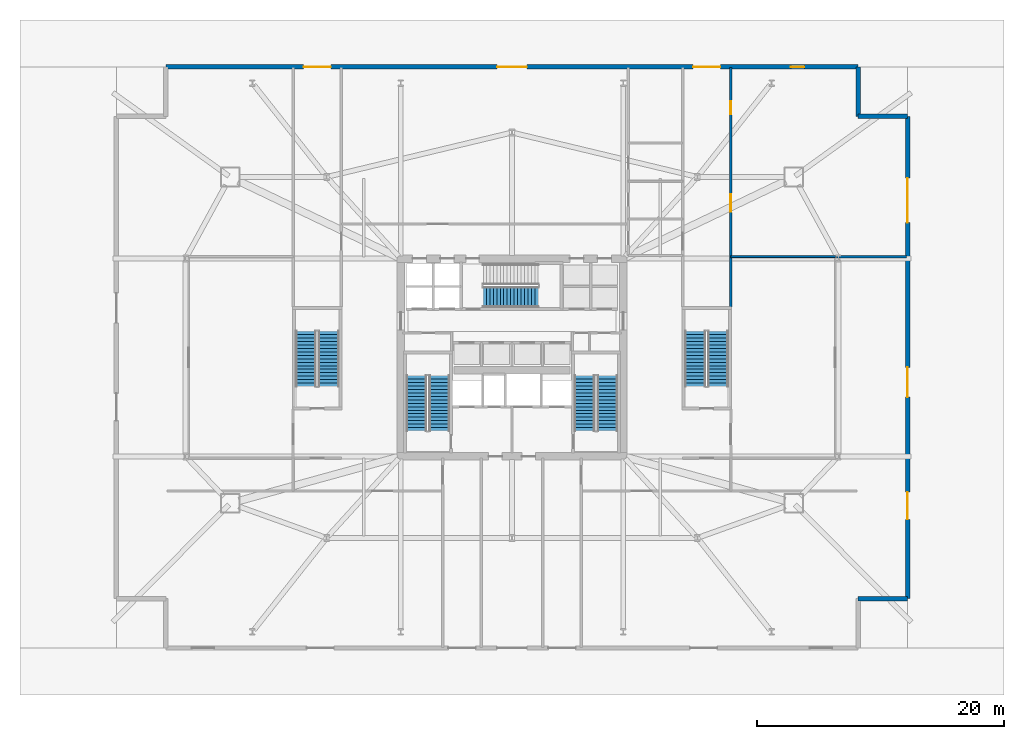
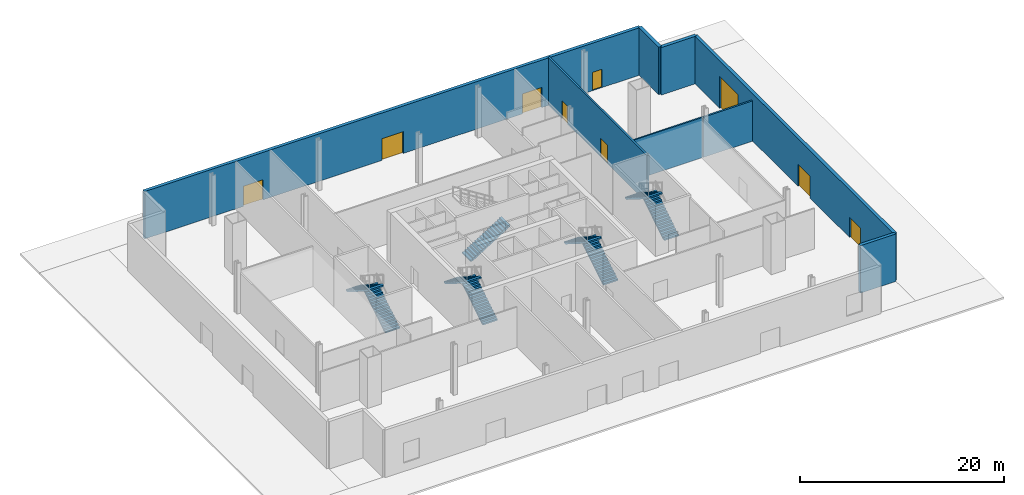
# One storey, part 6 of 10: 9 doors, 9 stair flights, 8 walls, 9 openings, 5 elements without a shape of their own.
"""IFC4 building model written with IfcOpenShell, lengths in metres."""

from ifc_helpers import new_model, si_unit, direction, frame, frame_2d, origin, place, context, subcontext, project, spatial, polyline, rectangle, outline, extrude, material, layer, layer_set, type_object, element, fill, aggregate, save


model = new_model("IFC4")

# Units and contexts
model_context = context("Model", 3, precision=1e-05, world=origin(), true_north=direction((0.0, 1.0)))
body_context = subcontext(model_context, "Body", "Model", "MODEL_VIEW")
ifc_project = project(units=[si_unit("LENGTHUNIT", "METRE"), si_unit("AREAUNIT", "SQUARE_METRE"), si_unit("VOLUMEUNIT", "CUBIC_METRE"), si_unit("PLANEANGLEUNIT", "RADIAN"), si_unit("MASSUNIT", "GRAM", prefix="KILO")], contexts=[model_context])

# Site, building, storey
site_placement = place(None, origin())
site = spatial("IfcSite", under=ifc_project, at=site_placement, CompositionType="ELEMENT")
building_placement = place(site_placement, origin())
building = spatial("IfcBuilding", under=site, at=building_placement, Name="Haldenkirk Collegiate Tower", CompositionType="ELEMENT")
storey_placement = place(building_placement, origin())
storey = spatial("IfcBuildingStorey", under=building, at=storey_placement, Name="L00", CompositionType="ELEMENT", Elevation=0.0)

# Wall
ifc_material_1 = material(Name="Precast concrete f'c 40 MPa", Category="concrete")
ifc_layer_1 = layer(ifc_material_1, 0.360107421875)
ifc_layer_set_1 = layer_set([ifc_layer_1], Name="Precast concrete f'c 40 MPa")
wall_type_1 = type_object("IfcWallType", Name="WL-EXT-POD-360", PredefinedType="STANDARD", material=ifc_layer_set_1)
wall_1_placement = place(storey_placement, frame((68.0, 6.5, 0.0), z_axis=(0.0, 0.0, 1.0), x_axis=(-1.0, 0.0, 0.0)))
element("IfcWall", 1, at=wall_1_placement, inside=storey, type_object=wall_type_1, Name="L00 podium bronze precast wall 03", PredefinedType="STANDARD", context=body_context, shape_type="SweptSolid", body=[
    extrude(rectangle(XDim=4.0, YDim=0.360107421875, at=frame_2d((2.0, 0.0))), origin(), (0.0, 0.0, 1.0), 5.669921875),
])

# Wall, openings, doors
wall_2_placement = place(storey_placement, frame((68.0, 45.5, 0.0), z_axis=(0.0, 0.0, 1.0), x_axis=(0.0, -1.0, 0.0)))
wall_2 = element("IfcWall", 2, at=wall_2_placement, inside=storey, type_object=wall_type_1, Name="L00 podium bronze precast wall 04", PredefinedType="STANDARD", context=body_context, shape_type="SweptSolid", body=[
    extrude(rectangle(XDim=39.0, YDim=0.360107421875, at=frame_2d((19.5, 0.0))), origin(), (0.0, 0.0, 1.0), 5.669921875),
])
opening_1_placement = place(wall_2_placement, frame((30.39990234375, 0.0, 0.0)))
opening_1 = element("IfcOpeningElement", 3, at=opening_1_placement, cuts=wall_2, Name="Opening D-E05", PredefinedType="OPENING", context=body_context, shape_type="SweptSolid", body=[
    extrude(rectangle(XDim=2.199951171875, YDim=2.39990234375, at=frame_2d((1.10009765625, 1.199951171875))), frame((0.0, 0.18994140625, 0.0), z_axis=(0.0, -1.0, 0.0), x_axis=(1.0, 0.0, 0.0)), (0.0, 0.0, 1.0), 0.380126953125),
])
opening_2_placement = place(wall_2_placement, frame((20.300048828125, 0.0, 0.0)))
opening_2 = element("IfcOpeningElement", 4, at=opening_2_placement, cuts=wall_2, Name="Opening D-EN24", PredefinedType="OPENING", context=body_context, shape_type="SweptSolid", body=[
    extrude(rectangle(XDim=2.39990234375, YDim=2.60009765625, at=frame_2d((1.199951171875, 1.300048828125))), frame((0.0, 0.18994140625, 0.0), z_axis=(0.0, -1.0, 0.0), x_axis=(1.0, 0.0, 0.0)), (0.0, 0.0, 1.0), 0.380126953125),
])
opening_3_placement = place(wall_2_placement, frame((5.0, 0.0, 0.0)))
opening_3 = element("IfcOpeningElement", 5, at=opening_3_placement, cuts=wall_2, Name="Opening D-SH1", PredefinedType="OPENING", context=body_context, shape_type="SweptSolid", body=[
    extrude(rectangle(XDim=3.60009765625, YDim=3.800048828125, at=frame_2d((1.800048828125, 1.89990234375))), frame((0.0, 0.18994140625, 0.0), z_axis=(0.0, -1.0, 0.0), x_axis=(1.0, 0.0, 0.0)), (0.0, 0.0, 1.0), 0.380126953125),
])
ifc_material_2 = material(Name="Anodised architectural bronze aluminium", Category="aluminium")
ifc_layer_2 = layer(ifc_material_2, 0.080078125)
ifc_layer_set_2 = layer_set([ifc_layer_2], Name="Anodised architectural bronze aluminium")
door_type_1 = type_object("IfcDoorType", Name="DR-EXT-ENTR-2400", OperationType="NOTDEFINED", PredefinedType="DOOR", material=ifc_layer_set_2)
door_1_placement = place(opening_2_placement, origin())
door_1 = element("IfcDoor", 6, at=door_1_placement, inside=storey, type_object=door_type_1, Name="Ground east campus promenade entrance door", OperationType="DOUBLE_DOOR_SINGLE_SWING", OverallHeight=2.60009765625, OverallWidth=2.39990234375, PredefinedType="DOOR", context=body_context, shape_type="SweptSolid", body=[
    extrude(rectangle(XDim=2.39990234375, YDim=2.60009765625, at=frame_2d((1.199951171875, 1.300048828125))), frame((0.0, 0.02490234375, 0.0), z_axis=(0.0, -1.0, 0.0), x_axis=(1.0, 0.0, 0.0)), (0.0, 0.0, 1.0), 0.050048828125),
])
fill(opening_2, door_1)
ifc_layer_3 = layer(ifc_material_2, 0.080078125)
ifc_layer_set_3 = layer_set([ifc_layer_3], Name="Anodised architectural bronze aluminium")
door_type_2 = type_object("IfcDoorType", Name="DR-EXT-EXIT-2200", OperationType="NOTDEFINED", PredefinedType="DOOR", material=ifc_layer_set_3)
door_2_placement = place(opening_1_placement, origin())
door_2 = element("IfcDoor", 7, at=door_2_placement, inside=storey, type_object=door_type_2, Name="Ground final exit discharge door D-E05", OperationType="DOUBLE_DOOR_SINGLE_SWING", OverallHeight=2.39990234375, OverallWidth=2.199951171875, PredefinedType="DOOR", context=body_context, shape_type="SweptSolid", body=[
    extrude(rectangle(XDim=2.199951171875, YDim=2.39990234375, at=frame_2d((1.10009765625, 1.199951171875))), frame((0.0, 0.02490234375, 0.0), z_axis=(0.0, -1.0, 0.0), x_axis=(1.0, 0.0, 0.0)), (0.0, 0.0, 1.0), 0.050048828125),
])
fill(opening_1, door_2)
ifc_material_3 = material(Name="Galvanized painted hollow steel", Category="steel")
ifc_layer_4 = layer(ifc_material_3, 0.080078125)
ifc_layer_set_4 = layer_set([ifc_layer_4], Name="Galvanized painted hollow steel")
door_type_3 = type_object("IfcDoorType", Name="DR-EXT-SHUT-3600", OperationType="NOTDEFINED", PredefinedType="GATE", material=ifc_layer_set_4)
door_3_placement = place(opening_3_placement, origin())
door_3 = element("IfcDoor", 8, at=door_3_placement, inside=storey, type_object=door_type_3, Name="Loading bay motorized rolling shutter D-SH1", OperationType="ROLLINGUP", OverallHeight=3.800048828125, OverallWidth=3.60009765625, PredefinedType="GATE", context=body_context, shape_type="SweptSolid", body=[
    extrude(rectangle(XDim=3.60009765625, YDim=3.800048828125, at=frame_2d((1.800048828125, 1.89990234375))), frame((0.0, 0.02490234375, 0.0), z_axis=(0.0, -1.0, 0.0), x_axis=(1.0, 0.0, 0.0)), (0.0, 0.0, 1.0), 0.050048828125),
])
fill(opening_3, door_3)

# Walls
for number, where, z_axis, x_axis, name in (
    (9, (64.0, 45.5, 0.0), (0.0, 0.0, 1.0), (1.0, 0.0, 0.0), "L00 podium bronze precast wall 05"),
    (10, (64.0, 49.5, 0.0), (0.0, 0.0, 1.0), (0.0, -1.0, 0.0), "L00 podium bronze precast wall 06"),
):
    element("IfcWall", number, at=place(storey_placement, frame(where, z_axis=z_axis, x_axis=x_axis)), inside=storey, type_object=wall_type_1, Name=name, PredefinedType="STANDARD", context=body_context, shape_type="SweptSolid", body=[
        extrude(rectangle(XDim=4.0, YDim=0.360107421875, at=frame_2d((2.0, 0.0))), origin(), (0.0, 0.0, 1.0), 5.669921875),
    ])

# Wall, openings, doors
wall_3_placement = place(storey_placement, frame((8.0, 49.5, 0.0), z_axis=(0.0, 0.0, 1.0), x_axis=(1.0, 0.0, 0.0)))
wall_3 = element("IfcWall", 11, at=wall_3_placement, inside=storey, type_object=wall_type_1, Name="L00 podium bronze precast wall 07", PredefinedType="STANDARD", context=body_context, shape_type="SweptSolid", body=[
    extrude(rectangle(XDim=56.0, YDim=0.360107421875, at=frame_2d((28.0, 0.0))), origin(), (0.0, 0.0, 1.0), 5.669921875),
])
opening_4_placement = place(wall_3_placement, frame((11.14990234375, 0.0, 0.0)))
opening_4 = element("IfcOpeningElement", 12, at=opening_4_placement, cuts=wall_3, Name="Opening D-E03", PredefinedType="OPENING", context=body_context, shape_type="SweptSolid", body=[
    extrude(rectangle(XDim=2.199951171875, YDim=2.39990234375, at=frame_2d((1.10009765625, 1.199951171875))), frame((0.0, 0.18994140625, 0.0), z_axis=(0.0, -1.0, 0.0), x_axis=(1.0, 0.0, 0.0)), (0.0, 0.0, 1.0), 0.380126953125),
])
opening_5_placement = place(wall_3_placement, frame((42.64990234375, 0.0, 0.0)))
opening_5 = element("IfcOpeningElement", 13, at=opening_5_placement, cuts=wall_3, Name="Opening D-E08", PredefinedType="OPENING", context=body_context, shape_type="SweptSolid", body=[
    extrude(rectangle(XDim=2.199951171875, YDim=2.39990234375, at=frame_2d((1.10009765625, 1.199951171875))), frame((0.0, 0.18994140625, 0.0), z_axis=(0.0, -1.0, 0.0), x_axis=(1.0, 0.0, 0.0)), (0.0, 0.0, 1.0), 0.380126953125),
])
opening_6_placement = place(wall_3_placement, frame((26.800048828125, 0.0, 0.0)))
opening_6 = element("IfcOpeningElement", 14, at=opening_6_placement, cuts=wall_3, Name="Opening D-EN24", PredefinedType="OPENING", context=body_context, shape_type="SweptSolid", body=[
    extrude(rectangle(XDim=2.39990234375, YDim=2.60009765625, at=frame_2d((1.199951171875, 1.300048828125))), frame((0.0, 0.18994140625, 0.0), z_axis=(0.0, -1.0, 0.0), x_axis=(1.0, 0.0, 0.0)), (0.0, 0.0, 1.0), 0.380126953125),
])
opening_7_placement = place(wall_3_placement, frame((50.550048828125, 0.0, 0.0)))
opening_7 = element("IfcOpeningElement", 15, at=opening_7_placement, cuts=wall_3, Name="Opening D-FC11", PredefinedType="OPENING", context=body_context, shape_type="SweptSolid", body=[
    extrude(rectangle(XDim=1.10009765625, YDim=2.199951171875, at=frame_2d((0.550048828125, 1.10009765625))), frame((0.0, 0.18994140625, 0.0), z_axis=(0.0, -1.0, 0.0), x_axis=(1.0, 0.0, 0.0)), (0.0, 0.0, 1.0), 0.380126953125),
])
door_4_placement = place(opening_6_placement, origin())
door_4 = element("IfcDoor", 16, at=door_4_placement, inside=storey, type_object=door_type_1, Name="Ground north study commons entrance door", OperationType="DOUBLE_DOOR_SINGLE_SWING", OverallHeight=2.60009765625, OverallWidth=2.39990234375, PredefinedType="DOOR", context=body_context, shape_type="SweptSolid", body=[
    extrude(rectangle(XDim=2.39990234375, YDim=2.60009765625, at=frame_2d((1.199951171875, 1.300048828125))), frame((0.0, 0.02490234375, 0.0), z_axis=(0.0, -1.0, 0.0), x_axis=(1.0, 0.0, 0.0)), (0.0, 0.0, 1.0), 0.050048828125),
])
fill(opening_6, door_4)
door_5_placement = place(opening_4_placement, origin())
door_5 = element("IfcDoor", 17, at=door_5_placement, inside=storey, type_object=door_type_2, Name="Ground final exit discharge door D-E03", OperationType="DOUBLE_DOOR_SINGLE_SWING", OverallHeight=2.39990234375, OverallWidth=2.199951171875, PredefinedType="DOOR", context=body_context, shape_type="SweptSolid", body=[
    extrude(rectangle(XDim=2.199951171875, YDim=2.39990234375, at=frame_2d((1.10009765625, 1.199951171875))), frame((0.0, 0.02490234375, 0.0), z_axis=(0.0, -1.0, 0.0), x_axis=(1.0, 0.0, 0.0)), (0.0, 0.0, 1.0), 0.050048828125),
])
fill(opening_4, door_5)
door_6_placement = place(opening_5_placement, origin())
door_6 = element("IfcDoor", 18, at=door_6_placement, inside=storey, type_object=door_type_2, Name="Ground final exit discharge door D-E08", OperationType="DOUBLE_DOOR_SINGLE_SWING", OverallHeight=2.39990234375, OverallWidth=2.199951171875, PredefinedType="DOOR", context=body_context, shape_type="SweptSolid", body=[
    extrude(rectangle(XDim=2.199951171875, YDim=2.39990234375, at=frame_2d((1.10009765625, 1.199951171875))), frame((0.0, 0.02490234375, 0.0), z_axis=(0.0, -1.0, 0.0), x_axis=(1.0, 0.0, 0.0)), (0.0, 0.0, 1.0), 0.050048828125),
])
fill(opening_5, door_6)
ifc_layer_5 = layer(ifc_material_2, 0.080078125)
ifc_layer_set_5 = layer_set([ifc_layer_5], Name="Anodised architectural bronze aluminium")
door_type_4 = type_object("IfcDoorType", Name="DR-EXT-FCC-1100", OperationType="NOTDEFINED", PredefinedType="DOOR", material=ifc_layer_set_5)
door_7_placement = place(opening_7_placement, origin())
door_7 = element("IfcDoor", 19, at=door_7_placement, inside=storey, type_object=door_type_4, Name="Fire Command Center direct exterior door", OperationType="SINGLE_SWING_RIGHT", OverallHeight=2.199951171875, OverallWidth=1.10009765625, PredefinedType="DOOR", context=body_context, shape_type="SweptSolid", body=[
    extrude(rectangle(XDim=1.10009765625, YDim=2.199951171875, at=frame_2d((0.550048828125, 1.10009765625))), frame((0.0, 0.02490234375, 0.0), z_axis=(0.0, -1.0, 0.0), x_axis=(1.0, 0.0, 0.0)), (0.0, 0.0, 1.0), 0.050048828125),
])
fill(opening_7, door_7)

# Wall
ifc_material_4 = material(Name="Acoustic fire-rated gypsum partition", Category="concrete")
ifc_layer_6 = layer(ifc_material_4, 0.159912109375)
ifc_layer_set_6 = layer_set([ifc_layer_6], Name="Acoustic fire-rated gypsum partition")
wall_type_2 = type_object("IfcWallType", Name="WL-INT-CORR-160", PredefinedType="PARTITIONING", material=ifc_layer_set_6)
wall_4_placement = place(storey_placement, frame((53.699951171875, 34.14990234375, 0.0), z_axis=(0.0, 0.0, 1.0), x_axis=(1.0, 0.0, 0.0)))
element("IfcWall", 20, at=wall_4_placement, inside=storey, type_object=wall_type_2, Name="L00 interior partition IW-L00-LT2N", PredefinedType="PARTITIONING", context=body_context, shape_type="SweptSolid", body=[
    extrude(rectangle(XDim=8.449951171875, YDim=0.159912109375, at=frame_2d((4.22509765625, 0.0))), origin(), (0.0, 0.0, 1.0), 4.802978515625),
])

# Wall, openings, doors
ifc_material_5 = material(Name="Fire-rated gypsum shaftboard assembly", Category="concrete")
ifc_layer_7 = layer(ifc_material_5, 0.199951171875)
ifc_layer_set_7 = layer_set([ifc_layer_7], Name="Fire-rated gypsum shaftboard assembly")
wall_type_3 = type_object("IfcWallType", Name="WL-INT-SHAFT-200", PredefinedType="PARTITIONING", material=ifc_layer_set_7)
wall_5_placement = place(storey_placement, frame((53.699951171875, 30.080078125, 0.0), z_axis=(0.0, 0.0, 1.0), x_axis=(0.0, 1.0, 0.0)))
wall_5 = element("IfcWall", 21, at=wall_5_placement, inside=storey, type_object=wall_type_3, Name="L00 interior partition IW-L00-EP4E", PredefinedType="PARTITIONING", context=body_context, shape_type="SweptSolid", body=[
    extrude(rectangle(XDim=19.369873046875, YDim=0.199951171875, at=frame_2d((9.68505859375, 0.0))), origin(), (0.0, 0.0, 1.0), 5.669921875),
])
opening_8_placement = place(wall_5_placement, frame((15.594970703125, 0.0, 0.0)))
opening_8 = element("IfcOpeningElement", 22, at=opening_8_placement, cuts=wall_5, Name="Opening D-01", PredefinedType="OPENING", context=body_context, shape_type="SweptSolid", body=[
    extrude(rectangle(XDim=1.050048828125, YDim=2.14990234375, at=frame_2d((0.52490234375, 1.074951171875))), frame((0.0, 0.10986328125, 0.0), z_axis=(0.0, -1.0, 0.0), x_axis=(1.0, 0.0, 0.0)), (0.0, 0.0, 1.0), 0.219970703125),
])
opening_9_placement = place(wall_5_placement, frame((7.719970703125, 0.0, 0.0)))
opening_9 = element("IfcOpeningElement", 23, at=opening_9_placement, cuts=wall_5, Name="Opening D-03", PredefinedType="OPENING", context=body_context, shape_type="SweptSolid", body=[
    extrude(rectangle(XDim=1.39990234375, YDim=2.199951171875, at=frame_2d((0.699951171875, 1.10009765625))), frame((0.0, 0.10986328125, 0.0), z_axis=(0.0, -1.0, 0.0), x_axis=(1.0, 0.0, 0.0)), (0.0, 0.0, 1.0), 0.219970703125),
])
ifc_material_6 = material(Name="Galvanized fire-rated hollow steel door", Category="steel")
ifc_layer_8 = layer(ifc_material_6, 0.06005859375)
ifc_layer_set_8 = layer_set([ifc_layer_8], Name="Galvanized fire-rated hollow steel door")
door_type_5 = type_object("IfcDoorType", Name="DR-LOBBY-FD90-1400", OperationType="NOTDEFINED", PredefinedType="DOOR", material=ifc_layer_set_8)
door_8_placement = place(opening_9_placement, origin())
door_8 = element("IfcDoor", 24, at=door_8_placement, inside=storey, type_object=door_type_5, Name="Loading bay service door", OperationType="DOUBLE_DOOR_SINGLE_SWING", OverallHeight=2.199951171875, OverallWidth=1.39990234375, PredefinedType="DOOR", context=body_context, shape_type="SweptSolid", body=[
    extrude(rectangle(XDim=1.39990234375, YDim=2.199951171875, at=frame_2d((0.699951171875, 1.10009765625))), frame((0.0, 0.02490234375, 0.0), z_axis=(0.0, -1.0, 0.0), x_axis=(1.0, 0.0, 0.0)), (0.0, 0.0, 1.0), 0.050048828125),
])
fill(opening_9, door_8)
ifc_layer_9 = layer(ifc_material_6, 0.06005859375)
ifc_layer_set_9 = layer_set([ifc_layer_9], Name="Galvanized fire-rated hollow steel door")
door_type_6 = type_object("IfcDoorType", Name="DR-STAIR-FD90-1050", OperationType="NOTDEFINED", PredefinedType="DOOR", material=ifc_layer_set_9)
door_9_placement = place(opening_8_placement, origin())
door_9 = element("IfcDoor", 25, at=door_9_placement, inside=storey, type_object=door_type_6, Name="Fire Command Center interior door", OperationType="SINGLE_SWING_LEFT", OverallHeight=2.14990234375, OverallWidth=1.050048828125, PredefinedType="DOOR", context=body_context, shape_type="SweptSolid", body=[
    extrude(rectangle(XDim=1.050048828125, YDim=2.14990234375, at=frame_2d((0.52490234375, 1.074951171875))), frame((0.0, 0.02490234375, 0.0), z_axis=(0.0, -1.0, 0.0), x_axis=(1.0, 0.0, 0.0)), (0.0, 0.0, 1.0), 0.050048828125),
])
fill(opening_8, door_9)

# Wall
wall_6_placement = place(storey_placement, frame((62.25, 34.14990234375, 0.0), z_axis=(0.0, 0.0, 1.0), x_axis=(1.0, 0.0, 0.0)))
element("IfcWall", 26, at=wall_6_placement, inside=storey, type_object=wall_type_3, Name="L00 interior partition IW-L00-LDS", PredefinedType="PARTITIONING", context=body_context, shape_type="SweptSolid", body=[
    extrude(rectangle(XDim=5.64990234375, YDim=0.199951171875, at=frame_2d((2.824951171875, 0.0))), origin(), (0.0, 0.0, 1.0), 4.802978515625),
])

# Stair, stair flights
ifc_material_7 = material(Name="Concrete f'c 40 MPa", Category="concrete")
stair_type = type_object("IfcStairType", Name="STR-DOGLEG-1650", PredefinedType="HALF_TURN_STAIR", material=ifc_material_7)
stair_1_placement = place(storey_placement, origin())
stair_1 = element("IfcStair", 27, at=stair_1_placement, inside=storey, type_object=stair_type, Name="L00 Core Exit Stair ST-1", PredefinedType="HALF_TURN_STAIR")
stair_flight_type = type_object("IfcStairFlightType", Name="STF-FLIGHT-1650", PredefinedType="STRAIGHT", material=ifc_material_7)
stair_flight_1_placement = place(storey_placement, frame((30.125, 20.050048828125, 0.0), z_axis=(0.0, 0.0, 1.0), x_axis=(0.0, 1.0, 0.0)))
stair_flight_1 = element("IfcStairFlight", 28, at=stair_flight_1_placement, type_object=stair_flight_type, Name="ST-1 flight 1", NumberOfRisers=17, NumberOfTreads=16, PredefinedType="STRAIGHT", RiserHeight=0.176470588, TreadLength=0.28, context=body_context, shape_type="SweptSolid", body=[
    extrude(outline(polyline([(0.0, 0.0), (0.0, 0.176513671875), (0.280029296875, 0.176513671875), (0.280029296875, 0.35302734375), (0.56005859375, 0.35302734375), (0.56005859375, 0.529296875), (0.840087890625, 0.529296875), (0.840087890625, 0.705810546875), (1.1201171875, 0.705810546875), (1.1201171875, 0.88232421875), (1.39990234375, 0.88232421875), (1.39990234375, 1.058837890625), (1.679931640625, 1.058837890625), (1.679931640625, 1.2353515625), (1.9599609375, 1.2353515625), (1.9599609375, 1.411865234375), (2.239990234375, 1.411865234375), (2.239990234375, 1.588134765625), (2.52001953125, 1.588134765625), (2.52001953125, 1.7646484375), (2.800048828125, 1.7646484375), (2.800048828125, 1.941162109375), (3.080078125, 1.941162109375), (3.080078125, 2.11767578125), (3.360107421875, 2.11767578125), (3.360107421875, 2.294189453125), (3.639892578125, 2.294189453125), (3.639892578125, 2.470703125), (3.919921875, 2.470703125), (3.919921875, 2.64697265625), (4.199951171875, 2.64697265625), (4.199951171875, 2.823486328125), (4.47998046875, 2.823486328125), (4.47998046875, 3.0), (4.47998046875, 2.646240234375), (0.28125, 0.0), (0.0, 0.0)])), frame((0.0, 0.824951171875, 0.0), z_axis=(0.0, -1.0, 0.0), x_axis=(1.0, 0.0, 0.0)), (0.0, 0.0, 1.0), 1.64990234375),
])
stair_flight_2_placement = place(storey_placement, frame((28.27490234375, 24.530029296875, 3.0), z_axis=(0.0, 0.0, 1.0), x_axis=(0.0, -1.0, 0.0)))
stair_flight_2 = element("IfcStairFlight", 29, at=stair_flight_2_placement, type_object=stair_flight_type, Name="ST-1 flight 2", NumberOfRisers=17, NumberOfTreads=16, PredefinedType="STRAIGHT", RiserHeight=0.176470588, TreadLength=0.28, context=body_context, shape_type="SweptSolid", body=[
    extrude(outline(polyline([(0.0, 0.0), (0.0, 0.176513671875), (0.280029296875, 0.176513671875), (0.280029296875, 0.35302734375), (0.56005859375, 0.35302734375), (0.56005859375, 0.529296875), (0.840087890625, 0.529296875), (0.840087890625, 0.705810546875), (1.1201171875, 0.705810546875), (1.1201171875, 0.88232421875), (1.39990234375, 0.88232421875), (1.39990234375, 1.058837890625), (1.679931640625, 1.058837890625), (1.679931640625, 1.2353515625), (1.9599609375, 1.2353515625), (1.9599609375, 1.411865234375), (2.239990234375, 1.411865234375), (2.239990234375, 1.588134765625), (2.52001953125, 1.588134765625), (2.52001953125, 1.7646484375), (2.800048828125, 1.7646484375), (2.800048828125, 1.941162109375), (3.080078125, 1.941162109375), (3.080078125, 2.11767578125), (3.360107421875, 2.11767578125), (3.360107421875, 2.294189453125), (3.639892578125, 2.294189453125), (3.639892578125, 2.470703125), (3.919921875, 2.470703125), (3.919921875, 2.64697265625), (4.199951171875, 2.64697265625), (4.199951171875, 2.823486328125), (4.47998046875, 2.823486328125), (4.47998046875, 3.0), (4.47998046875, 2.646240234375), (0.28125, 0.0), (0.0, 0.0)])), frame((0.0, 0.824951171875, 0.0), z_axis=(0.0, -1.0, 0.0), x_axis=(1.0, 0.0, 0.0)), (0.0, 0.0, 1.0), 1.64990234375),
])
aggregate(stair_1, [stair_flight_1, stair_flight_2])

stair_2_placement = place(storey_placement, origin())
stair_2 = element("IfcStair", 30, at=stair_2_placement, inside=storey, type_object=stair_type, Name="L00 Core Exit Stair ST-2", PredefinedType="HALF_TURN_STAIR")
stair_flight_3_placement = place(storey_placement, frame((43.72509765625, 20.050048828125, 0.0), z_axis=(0.0, 0.0, 1.0), x_axis=(0.0, 1.0, 0.0)))
stair_flight_3 = element("IfcStairFlight", 31, at=stair_flight_3_placement, type_object=stair_flight_type, Name="ST-2 flight 1", NumberOfRisers=17, NumberOfTreads=16, PredefinedType="STRAIGHT", RiserHeight=0.176470588, TreadLength=0.28, context=body_context, shape_type="SweptSolid", body=[
    extrude(outline(polyline([(0.0, 0.0), (0.0, 0.176513671875), (0.280029296875, 0.176513671875), (0.280029296875, 0.35302734375), (0.56005859375, 0.35302734375), (0.56005859375, 0.529296875), (0.840087890625, 0.529296875), (0.840087890625, 0.705810546875), (1.1201171875, 0.705810546875), (1.1201171875, 0.88232421875), (1.39990234375, 0.88232421875), (1.39990234375, 1.058837890625), (1.679931640625, 1.058837890625), (1.679931640625, 1.2353515625), (1.9599609375, 1.2353515625), (1.9599609375, 1.411865234375), (2.239990234375, 1.411865234375), (2.239990234375, 1.588134765625), (2.52001953125, 1.588134765625), (2.52001953125, 1.7646484375), (2.800048828125, 1.7646484375), (2.800048828125, 1.941162109375), (3.080078125, 1.941162109375), (3.080078125, 2.11767578125), (3.360107421875, 2.11767578125), (3.360107421875, 2.294189453125), (3.639892578125, 2.294189453125), (3.639892578125, 2.470703125), (3.919921875, 2.470703125), (3.919921875, 2.64697265625), (4.199951171875, 2.64697265625), (4.199951171875, 2.823486328125), (4.47998046875, 2.823486328125), (4.47998046875, 3.0), (4.47998046875, 2.646240234375), (0.28125, 0.0), (0.0, 0.0)])), frame((0.0, 0.824951171875, 0.0), z_axis=(0.0, -1.0, 0.0), x_axis=(1.0, 0.0, 0.0)), (0.0, 0.0, 1.0), 1.64990234375),
])
stair_flight_4_placement = place(storey_placement, frame((41.875, 24.530029296875, 3.0), z_axis=(0.0, 0.0, 1.0), x_axis=(0.0, -1.0, 0.0)))
stair_flight_4 = element("IfcStairFlight", 32, at=stair_flight_4_placement, type_object=stair_flight_type, Name="ST-2 flight 2", NumberOfRisers=17, NumberOfTreads=16, PredefinedType="STRAIGHT", RiserHeight=0.176470588, TreadLength=0.28, context=body_context, shape_type="SweptSolid", body=[
    extrude(outline(polyline([(0.0, 0.0), (0.0, 0.176513671875), (0.280029296875, 0.176513671875), (0.280029296875, 0.35302734375), (0.56005859375, 0.35302734375), (0.56005859375, 0.529296875), (0.840087890625, 0.529296875), (0.840087890625, 0.705810546875), (1.1201171875, 0.705810546875), (1.1201171875, 0.88232421875), (1.39990234375, 0.88232421875), (1.39990234375, 1.058837890625), (1.679931640625, 1.058837890625), (1.679931640625, 1.2353515625), (1.9599609375, 1.2353515625), (1.9599609375, 1.411865234375), (2.239990234375, 1.411865234375), (2.239990234375, 1.588134765625), (2.52001953125, 1.588134765625), (2.52001953125, 1.7646484375), (2.800048828125, 1.7646484375), (2.800048828125, 1.941162109375), (3.080078125, 1.941162109375), (3.080078125, 2.11767578125), (3.360107421875, 2.11767578125), (3.360107421875, 2.294189453125), (3.639892578125, 2.294189453125), (3.639892578125, 2.470703125), (3.919921875, 2.470703125), (3.919921875, 2.64697265625), (4.199951171875, 2.64697265625), (4.199951171875, 2.823486328125), (4.47998046875, 2.823486328125), (4.47998046875, 3.0), (4.47998046875, 2.646240234375), (0.28125, 0.0), (0.0, 0.0)])), frame((0.0, 0.824951171875, 0.0), z_axis=(0.0, -1.0, 0.0), x_axis=(1.0, 0.0, 0.0)), (0.0, 0.0, 1.0), 1.64990234375),
])
aggregate(stair_2, [stair_flight_3, stair_flight_4])

# Stair, stair flight
stair_3_placement = place(storey_placement, origin())
stair_3 = element("IfcStair", 33, at=stair_3_placement, inside=storey, type_object=stair_type, Name="L00 Core Exit Stair ST-3", PredefinedType="HALF_TURN_STAIR")
stair_flight_5_placement = place(storey_placement, frame((33.64990234375, 30.875, 0.0), z_axis=(0.0, 0.0, 1.0), x_axis=(1.0, 0.0, 0.0)))
stair_flight_5 = element("IfcStairFlight", 34, at=stair_flight_5_placement, type_object=stair_flight_type, Name="ST-3 flight 1", NumberOfRisers=17, NumberOfTreads=16, PredefinedType="STRAIGHT", RiserHeight=0.176470588, TreadLength=0.28, context=body_context, shape_type="SweptSolid", body=[
    extrude(outline(polyline([(0.0, 0.0), (0.0, 0.176513671875), (0.280029296875, 0.176513671875), (0.280029296875, 0.35302734375), (0.56005859375, 0.35302734375), (0.56005859375, 0.529296875), (0.840087890625, 0.529296875), (0.840087890625, 0.705810546875), (1.1201171875, 0.705810546875), (1.1201171875, 0.88232421875), (1.39990234375, 0.88232421875), (1.39990234375, 1.058837890625), (1.679931640625, 1.058837890625), (1.679931640625, 1.2353515625), (1.9599609375, 1.2353515625), (1.9599609375, 1.411865234375), (2.239990234375, 1.411865234375), (2.239990234375, 1.588134765625), (2.52001953125, 1.588134765625), (2.52001953125, 1.7646484375), (2.800048828125, 1.7646484375), (2.800048828125, 1.941162109375), (3.080078125, 1.941162109375), (3.080078125, 2.11767578125), (3.360107421875, 2.11767578125), (3.360107421875, 2.294189453125), (3.639892578125, 2.294189453125), (3.639892578125, 2.470703125), (3.919921875, 2.470703125), (3.919921875, 2.64697265625), (4.199951171875, 2.64697265625), (4.199951171875, 2.823486328125), (4.47998046875, 2.823486328125), (4.47998046875, 3.0), (4.47998046875, 2.646240234375), (0.28125, 0.0), (0.0, 0.0)])), frame((0.0, 0.824951171875, 0.0), z_axis=(0.0, -1.0, 0.0), x_axis=(1.0, 0.0, 0.0)), (0.0, 0.0, 1.0), 1.64990234375),
])
aggregate(stair_3, [stair_flight_5])

# Stair, stair flights
stair_4_placement = place(storey_placement, origin())
stair_4 = element("IfcStair", 35, at=stair_4_placement, inside=storey, type_object=stair_type, Name="L00 Podium Exit Stair ST-4", PredefinedType="HALF_TURN_STAIR")
stair_flight_6_placement = place(storey_placement, frame((21.175048828125, 23.64990234375, 0.0), z_axis=(0.0, 0.0, 1.0), x_axis=(0.0, 1.0, 0.0)))
stair_flight_6 = element("IfcStairFlight", 36, at=stair_flight_6_placement, type_object=stair_flight_type, Name="ST-4 flight 1", NumberOfRisers=17, NumberOfTreads=16, PredefinedType="STRAIGHT", RiserHeight=0.176470588, TreadLength=0.28, context=body_context, shape_type="SweptSolid", body=[
    extrude(outline(polyline([(0.0, 0.0), (0.0, 0.176513671875), (0.280029296875, 0.176513671875), (0.280029296875, 0.35302734375), (0.56005859375, 0.35302734375), (0.56005859375, 0.529296875), (0.840087890625, 0.529296875), (0.840087890625, 0.705810546875), (1.1201171875, 0.705810546875), (1.1201171875, 0.88232421875), (1.39990234375, 0.88232421875), (1.39990234375, 1.058837890625), (1.679931640625, 1.058837890625), (1.679931640625, 1.2353515625), (1.9599609375, 1.2353515625), (1.9599609375, 1.411865234375), (2.239990234375, 1.411865234375), (2.239990234375, 1.588134765625), (2.52001953125, 1.588134765625), (2.52001953125, 1.7646484375), (2.800048828125, 1.7646484375), (2.800048828125, 1.941162109375), (3.080078125, 1.941162109375), (3.080078125, 2.11767578125), (3.360107421875, 2.11767578125), (3.360107421875, 2.294189453125), (3.639892578125, 2.294189453125), (3.639892578125, 2.470703125), (3.919921875, 2.470703125), (3.919921875, 2.64697265625), (4.199951171875, 2.64697265625), (4.199951171875, 2.823486328125), (4.47998046875, 2.823486328125), (4.47998046875, 3.0), (4.47998046875, 2.646240234375), (0.28125, 0.0), (0.0, 0.0)])), frame((0.0, 0.824951171875, 0.0), z_axis=(0.0, -1.0, 0.0), x_axis=(1.0, 0.0, 0.0)), (0.0, 0.0, 1.0), 1.64990234375),
])
stair_flight_7_placement = place(storey_placement, frame((19.324951171875, 28.1298828125, 3.0), z_axis=(0.0, 0.0, 1.0), x_axis=(0.0, -1.0, 0.0)))
stair_flight_7 = element("IfcStairFlight", 37, at=stair_flight_7_placement, type_object=stair_flight_type, Name="ST-4 flight 2", NumberOfRisers=17, NumberOfTreads=16, PredefinedType="STRAIGHT", RiserHeight=0.176470588, TreadLength=0.28, context=body_context, shape_type="SweptSolid", body=[
    extrude(outline(polyline([(0.0, 0.0), (0.0, 0.176513671875), (0.280029296875, 0.176513671875), (0.280029296875, 0.35302734375), (0.56005859375, 0.35302734375), (0.56005859375, 0.529296875), (0.840087890625, 0.529296875), (0.840087890625, 0.705810546875), (1.1201171875, 0.705810546875), (1.1201171875, 0.88232421875), (1.39990234375, 0.88232421875), (1.39990234375, 1.058837890625), (1.679931640625, 1.058837890625), (1.679931640625, 1.2353515625), (1.9599609375, 1.2353515625), (1.9599609375, 1.411865234375), (2.239990234375, 1.411865234375), (2.239990234375, 1.588134765625), (2.52001953125, 1.588134765625), (2.52001953125, 1.7646484375), (2.800048828125, 1.7646484375), (2.800048828125, 1.941162109375), (3.080078125, 1.941162109375), (3.080078125, 2.11767578125), (3.360107421875, 2.11767578125), (3.360107421875, 2.294189453125), (3.639892578125, 2.294189453125), (3.639892578125, 2.470703125), (3.919921875, 2.470703125), (3.919921875, 2.64697265625), (4.199951171875, 2.64697265625), (4.199951171875, 2.823486328125), (4.47998046875, 2.823486328125), (4.47998046875, 3.0), (4.47998046875, 2.646240234375), (0.28125, 0.0), (0.0, 0.0)])), frame((0.0, 0.824951171875, 0.0), z_axis=(0.0, -1.0, 0.0), x_axis=(1.0, 0.0, 0.0)), (0.0, 0.0, 1.0), 1.64990234375),
])
aggregate(stair_4, [stair_flight_6, stair_flight_7])

stair_5_placement = place(storey_placement, origin())
stair_5 = element("IfcStair", 38, at=stair_5_placement, inside=storey, type_object=stair_type, Name="L00 Podium Exit Stair ST-5", PredefinedType="HALF_TURN_STAIR")
stair_flight_8_placement = place(storey_placement, frame((52.675048828125, 23.64990234375, 0.0), z_axis=(0.0, 0.0, 1.0), x_axis=(0.0, 1.0, 0.0)))
stair_flight_8 = element("IfcStairFlight", 39, at=stair_flight_8_placement, type_object=stair_flight_type, Name="ST-5 flight 1", NumberOfRisers=17, NumberOfTreads=16, PredefinedType="STRAIGHT", RiserHeight=0.176470588, TreadLength=0.28, context=body_context, shape_type="SweptSolid", body=[
    extrude(outline(polyline([(0.0, 0.0), (0.0, 0.176513671875), (0.280029296875, 0.176513671875), (0.280029296875, 0.35302734375), (0.56005859375, 0.35302734375), (0.56005859375, 0.529296875), (0.840087890625, 0.529296875), (0.840087890625, 0.705810546875), (1.1201171875, 0.705810546875), (1.1201171875, 0.88232421875), (1.39990234375, 0.88232421875), (1.39990234375, 1.058837890625), (1.679931640625, 1.058837890625), (1.679931640625, 1.2353515625), (1.9599609375, 1.2353515625), (1.9599609375, 1.411865234375), (2.239990234375, 1.411865234375), (2.239990234375, 1.588134765625), (2.52001953125, 1.588134765625), (2.52001953125, 1.7646484375), (2.800048828125, 1.7646484375), (2.800048828125, 1.941162109375), (3.080078125, 1.941162109375), (3.080078125, 2.11767578125), (3.360107421875, 2.11767578125), (3.360107421875, 2.294189453125), (3.639892578125, 2.294189453125), (3.639892578125, 2.470703125), (3.919921875, 2.470703125), (3.919921875, 2.64697265625), (4.199951171875, 2.64697265625), (4.199951171875, 2.823486328125), (4.47998046875, 2.823486328125), (4.47998046875, 3.0), (4.47998046875, 2.646240234375), (0.28125, 0.0), (0.0, 0.0)])), frame((0.0, 0.824951171875, 0.0), z_axis=(0.0, -1.0, 0.0), x_axis=(1.0, 0.0, 0.0)), (0.0, 0.0, 1.0), 1.64990234375),
])
stair_flight_9_placement = place(storey_placement, frame((50.824951171875, 28.1298828125, 3.0), z_axis=(0.0, 0.0, 1.0), x_axis=(0.0, -1.0, 0.0)))
stair_flight_9 = element("IfcStairFlight", 40, at=stair_flight_9_placement, type_object=stair_flight_type, Name="ST-5 flight 2", NumberOfRisers=17, NumberOfTreads=16, PredefinedType="STRAIGHT", RiserHeight=0.176470588, TreadLength=0.28, context=body_context, shape_type="SweptSolid", body=[
    extrude(outline(polyline([(0.0, 0.0), (0.0, 0.176513671875), (0.280029296875, 0.176513671875), (0.280029296875, 0.35302734375), (0.56005859375, 0.35302734375), (0.56005859375, 0.529296875), (0.840087890625, 0.529296875), (0.840087890625, 0.705810546875), (1.1201171875, 0.705810546875), (1.1201171875, 0.88232421875), (1.39990234375, 0.88232421875), (1.39990234375, 1.058837890625), (1.679931640625, 1.058837890625), (1.679931640625, 1.2353515625), (1.9599609375, 1.2353515625), (1.9599609375, 1.411865234375), (2.239990234375, 1.411865234375), (2.239990234375, 1.588134765625), (2.52001953125, 1.588134765625), (2.52001953125, 1.7646484375), (2.800048828125, 1.7646484375), (2.800048828125, 1.941162109375), (3.080078125, 1.941162109375), (3.080078125, 2.11767578125), (3.360107421875, 2.11767578125), (3.360107421875, 2.294189453125), (3.639892578125, 2.294189453125), (3.639892578125, 2.470703125), (3.919921875, 2.470703125), (3.919921875, 2.64697265625), (4.199951171875, 2.64697265625), (4.199951171875, 2.823486328125), (4.47998046875, 2.823486328125), (4.47998046875, 3.0), (4.47998046875, 2.646240234375), (0.28125, 0.0), (0.0, 0.0)])), frame((0.0, 0.824951171875, 0.0), z_axis=(0.0, -1.0, 0.0), x_axis=(1.0, 0.0, 0.0)), (0.0, 0.0, 1.0), 1.64990234375),
])
aggregate(stair_5, [stair_flight_8, stair_flight_9])

save(model, "model.ifc")
